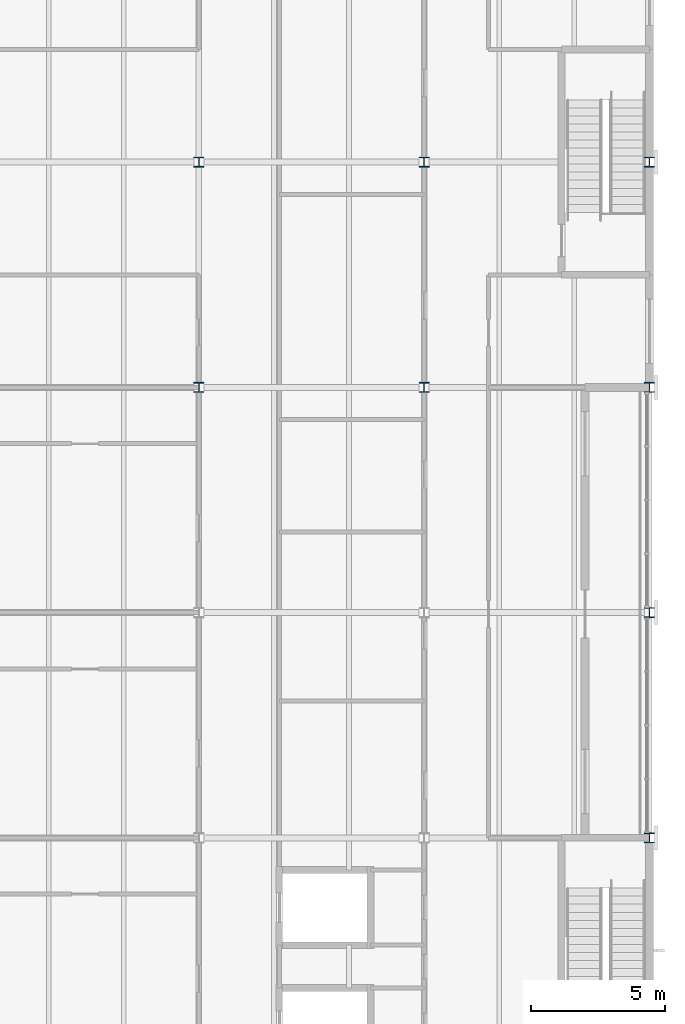
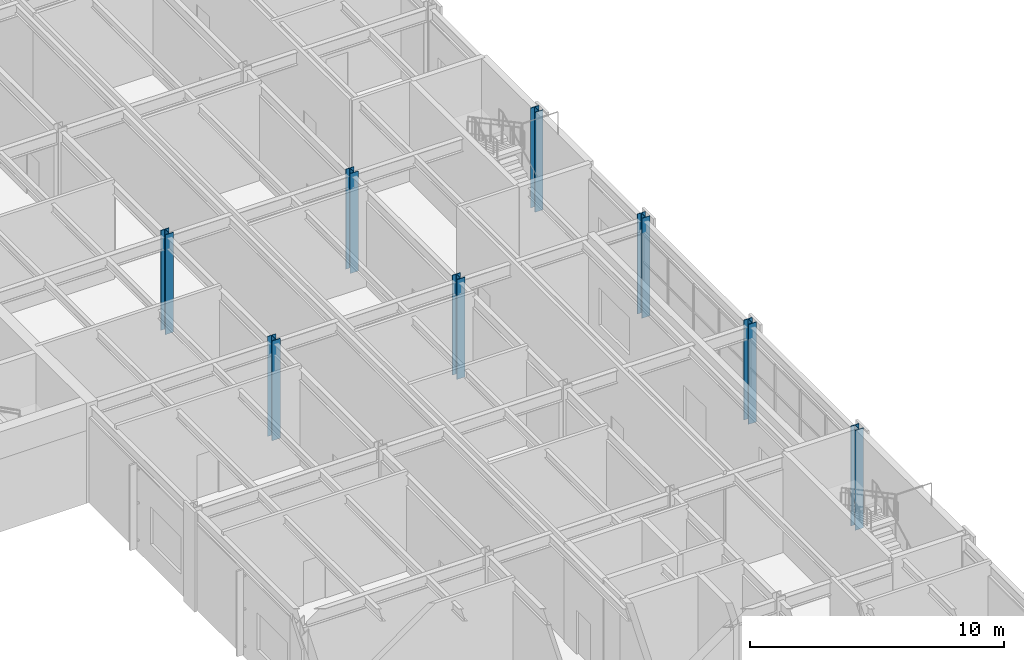
# One storey, part 6 of 127: 8 columns.
"""IFC4 building model written with IfcOpenShell, lengths in metres."""

from ifc_helpers import new_model, si_unit, direction, frame, origin, origin_2d, place, context, subcontext, project, spatial, i_section, extrude, material, material_profile, profile_set, type_object, element, save


model = new_model("IFC4")

# Units and contexts
model_context = context("Model", 3, precision=1e-05, world=origin(), true_north=direction((0.0, 1.0)))
body_context = subcontext(model_context, "Body", "Model", "MODEL_VIEW")
ifc_project = project(units=[si_unit("LENGTHUNIT", "METRE"), si_unit("AREAUNIT", "SQUARE_METRE"), si_unit("VOLUMEUNIT", "CUBIC_METRE"), si_unit("PLANEANGLEUNIT", "RADIAN"), si_unit("MASSUNIT", "GRAM", prefix="KILO")], contexts=[model_context])

# Site, building, storey
site_placement = place(None, origin())
site = spatial("IfcSite", under=ifc_project, at=site_placement, CompositionType="ELEMENT")
building_placement = place(site_placement, origin())
building = spatial("IfcBuilding", under=site, at=building_placement, Name="Ljudholm Concert House", CompositionType="ELEMENT")
storey_placement = place(building_placement, frame((0.0, 0.0, 5.39990234375)))
storey = spatial("IfcBuildingStorey", under=building, at=storey_placement, Name="L01", CompositionType="ELEMENT", Elevation=5.39990234375)

# Columns
ifc_material = material(Name="Steel ASTM A992", Category="steel")
ifc_material_profile = material_profile(ifc_material, i_section(OverallWidth=0.373291015625, OverallDepth=0.373291015625, WebThickness=0.016357421875, FlangeThickness=0.026123046875, FilletRadius=0.01513671875, at=origin_2d()), Name="W14X132")
ifc_profile_set = profile_set([ifc_material_profile], Name="Steel ASTM A992")
column_type = type_object("IfcColumnType", Name="STEEL COLUMN W14X132", PredefinedType="COLUMN", material=ifc_profile_set)
for number, where, z_axis, x_axis, name in (
    (1, (104.800048828125, 54.39990234375, 0.0), (0.0, 0.0, 1.0), (1.0, 0.0, 0.0), "Column BOH-L01-col-104.8-54.4"),
    (2, (104.800048828125, 62.800048828125, 0.0), (0.0, 0.0, 1.0), (1.0, 0.0, 0.0), "Column BOH-L01-col-104.8-62.8"),
    (3, (113.199951171875, 54.39990234375, 0.0), (0.0, 0.0, 1.0), (1.0, 0.0, 0.0), "Column BOH-L01-col-113.2-54.4"),
    (4, (113.199951171875, 62.800048828125, 0.0), (0.0, 0.0, 1.0), (1.0, 0.0, 0.0), "Column BOH-L01-col-113.2-62.8"),
    (5, (121.60009765625, 37.60009765625, 0.0), (0.0, 0.0, 1.0), (1.0, 0.0, 0.0), "Column BOH-L01-col-121.6-37.6"),
    (6, (121.60009765625, 46.0, 0.0), (0.0, 0.0, 1.0), (1.0, 0.0, 0.0), "Column BOH-L01-col-121.6-46"),
    (7, (121.60009765625, 54.39990234375, 0.0), (0.0, 0.0, 1.0), (1.0, 0.0, 0.0), "Column BOH-L01-col-121.6-54.4"),
    (8, (121.60009765625, 62.800048828125, 0.0), (0.0, 0.0, 1.0), (1.0, 0.0, 0.0), "Column BOH-L01-col-121.6-62.8"),
):
    element("IfcColumn", number, at=place(storey_placement, frame(where, z_axis=z_axis, x_axis=x_axis)), inside=storey, type_object=column_type, Name=name, PredefinedType="COLUMN", context=body_context, shape_type="SweptSolid", body=[
        extrude(i_section(OverallWidth=0.373291015625, OverallDepth=0.373291015625, WebThickness=0.016357421875, FlangeThickness=0.026123046875, FilletRadius=0.01513671875, at=origin_2d()), origin(), (0.0, 0.0, 1.0), 4.800048828125),
    ])

save(model, "model.ifc")
